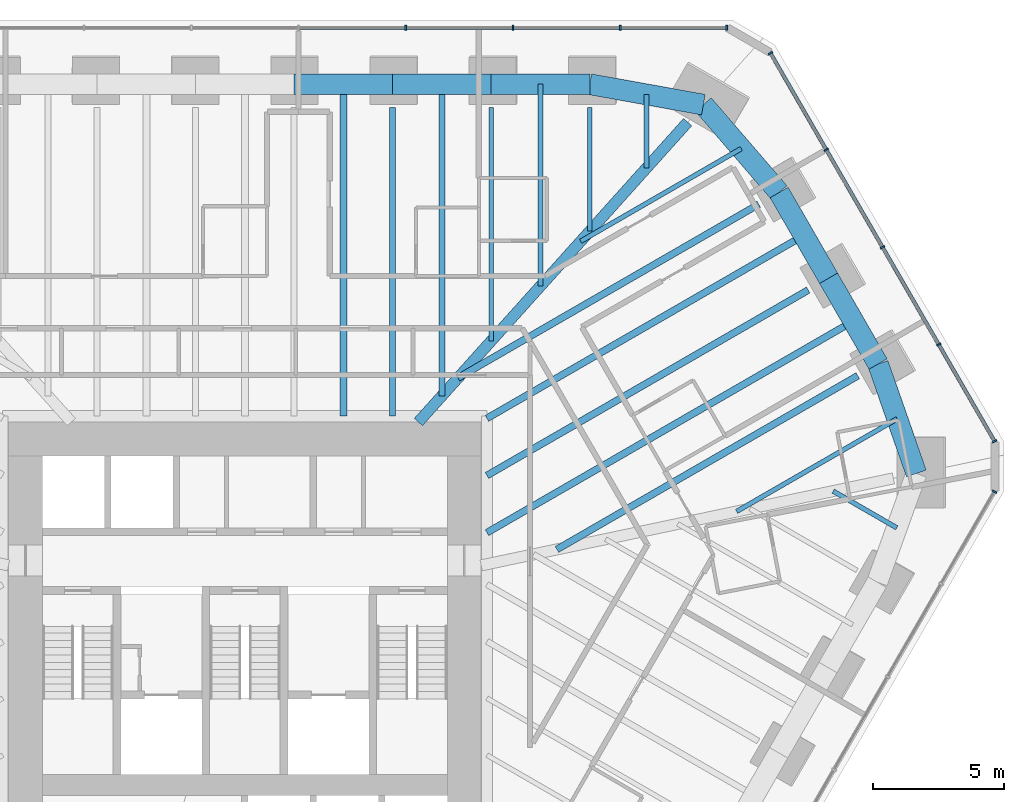
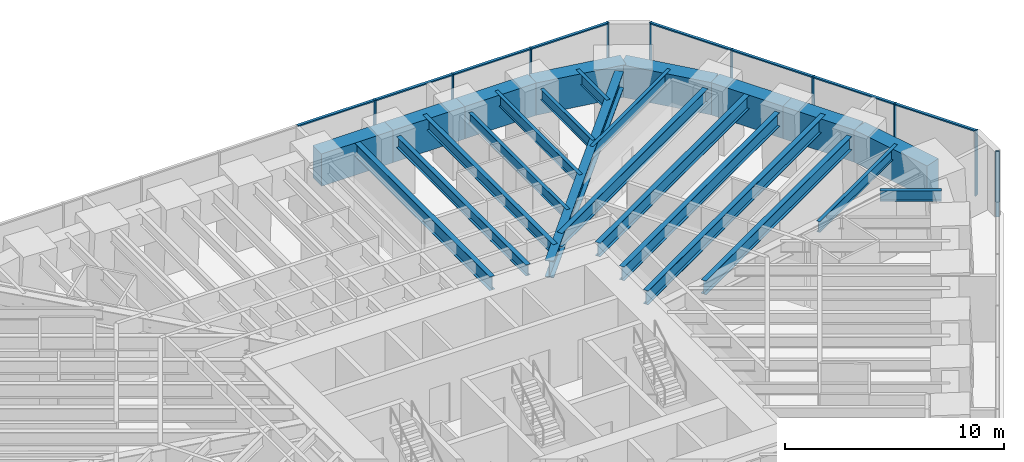
# One storey, part 9 of 17: 24 beams, 18 members, 3 elements without a shape of their own.
"""IFC4 building model written with IfcOpenShell, lengths in metres."""

from ifc_helpers import new_model, si_unit, direction, frame, origin, origin_2d, place, context, subcontext, project, spatial, rectangle, i_section, extrude, material, material_profile, profile_set, type_object, element, aggregate, save


model = new_model("IFC4")

# Units and contexts
model_context = context("Model", 3, precision=1e-05, world=origin(), true_north=direction((0.0, 1.0)))
body_context = subcontext(model_context, "Body", "Model", "MODEL_VIEW")
ifc_project = project(units=[si_unit("LENGTHUNIT", "METRE"), si_unit("AREAUNIT", "SQUARE_METRE"), si_unit("VOLUMEUNIT", "CUBIC_METRE"), si_unit("PLANEANGLEUNIT", "RADIAN"), si_unit("MASSUNIT", "GRAM", prefix="KILO")], contexts=[model_context])

# Site, building, storey
site_placement = place(None, origin())
site = spatial("IfcSite", under=ifc_project, at=site_placement, CompositionType="ELEMENT")
building_placement = place(site_placement, origin())
building = spatial("IfcBuilding", under=site, at=building_placement, Name="Sandreach Pilgrim Tower", CompositionType="ELEMENT")
storey_placement = place(building_placement, frame((0.0, 0.0, 165.199951171875)))
storey = spatial("IfcBuildingStorey", under=building, at=storey_placement, Name="L41", CompositionType="ELEMENT", Elevation=165.199951171875)

# Curtain wall, members
ifc_material_1 = material(Name="Aluminium framed curtain wall", Category="aluminium")
curtain_wall_type = type_object("IfcCurtainWallType", Name="Hotel tower curtain wall", PredefinedType="NOTDEFINED", material=ifc_material_1)
curtain_wall_1_placement = place(storey_placement, origin())
curtain_wall_1 = element("IfcCurtainWall", 1, at=curtain_wall_1_placement, inside=storey, type_object=curtain_wall_type, Name="CW-2 L41 N", PredefinedType="NOTDEFINED")
ifc_material_2 = material(Name="Aluminium extrusion", Category="aluminium")
ifc_material_profile_1 = material_profile(ifc_material_2, rectangle(XDim=0.06494140625, YDim=0.179931640625, at=origin_2d()), Name="CW-2M 65X180")
ifc_profile_set_1 = profile_set([ifc_material_profile_1], Name="Aluminium extrusion")
member_type_1 = type_object("IfcMemberType", Name="CW-2 mullion", PredefinedType="MULLION", material=ifc_profile_set_1)
member_1_placement = place(storey_placement, frame((6.160400390625, 22.493896484375, 0.0), z_axis=(0.0, 0.0, 1.0), x_axis=(1.0, 0.0, 0.0)))
member_1 = element("IfcMember", 2, at=member_1_placement, type_object=member_type_1, Name="CW-2 mullion 7", PredefinedType="MULLION", context=body_context, shape_type="SweptSolid", body=[
    extrude(rectangle(XDim=0.06494140625, YDim=0.179931640625, at=origin_2d()), origin(), (0.0, 0.0, 1.0), 3.64013671875),
])
member_2_placement = place(storey_placement, frame((10.267333984375, 22.493896484375, 0.0), z_axis=(0.0, 0.0, 1.0), x_axis=(1.0, 0.0, 0.0)))
member_2 = element("IfcMember", 3, at=member_2_placement, type_object=member_type_1, Name="CW-2 mullion 8", PredefinedType="MULLION", context=body_context, shape_type="SweptSolid", body=[
    extrude(rectangle(XDim=0.06494140625, YDim=0.179931640625, at=origin_2d()), origin(), (0.0, 0.0, 1.0), 3.64013671875),
])
member_3_placement = place(storey_placement, frame((14.37451171875, 22.493896484375, 0.0), z_axis=(0.0, 0.0, 1.0), x_axis=(1.0, 0.0, 0.0)))
member_3 = element("IfcMember", 4, at=member_3_placement, type_object=member_type_1, Name="CW-2 mullion 9", PredefinedType="MULLION", context=body_context, shape_type="SweptSolid", body=[
    extrude(rectangle(XDim=0.06494140625, YDim=0.179931640625, at=origin_2d()), origin(), (0.0, 0.0, 1.0), 3.64013671875),
])
member_4_placement = place(storey_placement, frame((18.448974609375, 22.493896484375, 0.0), z_axis=(0.0, 0.0, 1.0), x_axis=(1.0, 0.0, 0.0)))
member_4 = element("IfcMember", 5, at=member_4_placement, type_object=member_type_1, Name="CW-2 mullion 10", PredefinedType="MULLION", context=body_context, shape_type="SweptSolid", body=[
    extrude(rectangle(XDim=0.06494140625, YDim=0.179931640625, at=origin_2d()), origin(), (0.0, 0.0, 1.0), 3.64013671875),
])

curtain_wall_2_placement = place(storey_placement, origin())
curtain_wall_2 = element("IfcCurtainWall", 6, at=curtain_wall_2_placement, inside=storey, type_object=curtain_wall_type, Name="CW-2 L41 NE", PredefinedType="NOTDEFINED")
member_5_placement = place(storey_placement, frame((20.125732421875, 21.525634765625, 0.0), z_axis=(0.0, 0.0, 1.0), x_axis=(0.5, -0.866025403784, 0.0)))
member_5 = element("IfcMember", 7, at=member_5_placement, type_object=member_type_1, Name="CW-2 mullion 1", PredefinedType="MULLION", context=body_context, shape_type="SweptSolid", body=[
    extrude(rectangle(XDim=0.06494140625, YDim=0.179931640625, at=origin_2d()), origin(), (0.0, 0.0, 1.0), 3.64013671875),
])
member_6_placement = place(storey_placement, frame((22.262451171875, 17.824951171875, 0.0), z_axis=(0.0, 0.0, 1.0), x_axis=(0.5, -0.866025403784, 0.0)))
member_6 = element("IfcMember", 8, at=member_6_placement, type_object=member_type_1, Name="CW-2 mullion 2", PredefinedType="MULLION", context=body_context, shape_type="SweptSolid", body=[
    extrude(rectangle(XDim=0.06494140625, YDim=0.179931640625, at=origin_2d()), origin(), (0.0, 0.0, 1.0), 3.64013671875),
])
member_7_placement = place(storey_placement, frame((24.415283203125, 14.09619140625, 0.0), z_axis=(0.0, 0.0, 1.0), x_axis=(0.5, -0.866025403784, 0.0)))
member_7 = element("IfcMember", 9, at=member_7_placement, type_object=member_type_1, Name="CW-2 mullion 3", PredefinedType="MULLION", context=body_context, shape_type="SweptSolid", body=[
    extrude(rectangle(XDim=0.06494140625, YDim=0.179931640625, at=origin_2d()), origin(), (0.0, 0.0, 1.0), 3.64013671875),
])
member_8_placement = place(storey_placement, frame((26.568115234375, 10.3671875, 0.0), z_axis=(0.0, 0.0, 1.0), x_axis=(0.5, -0.866025403784, 0.0)))
member_8 = element("IfcMember", 10, at=member_8_placement, type_object=member_type_1, Name="CW-2 mullion 4", PredefinedType="MULLION", context=body_context, shape_type="SweptSolid", body=[
    extrude(rectangle(XDim=0.06494140625, YDim=0.179931640625, at=origin_2d()), origin(), (0.0, 0.0, 1.0), 3.64013671875),
])
member_9_placement = place(storey_placement, frame((28.70458984375, 6.66650390625, 0.0), z_axis=(0.0, 0.0, 1.0), x_axis=(0.5, -0.866025403784, 0.0)))
member_9 = element("IfcMember", 11, at=member_9_placement, type_object=member_type_1, Name="CW-2 mullion 5", PredefinedType="MULLION", context=body_context, shape_type="SweptSolid", body=[
    extrude(rectangle(XDim=0.06494140625, YDim=0.179931640625, at=origin_2d()), origin(), (0.0, 0.0, 1.0), 3.64013671875),
])

# Curtain wall, member
curtain_wall_3_placement = place(storey_placement, origin())
curtain_wall_3 = element("IfcCurtainWall", 12, at=curtain_wall_3_placement, inside=storey, type_object=curtain_wall_type, Name="CW-2 L41 SE", PredefinedType="NOTDEFINED")
member_10_placement = place(storey_placement, frame((28.70458984375, 4.730224609375, 0.0), z_axis=(0.0, 0.0, 1.0), x_axis=(-0.5, -0.866025403784, 0.0)))
member_10 = element("IfcMember", 13, at=member_10_placement, type_object=member_type_1, Name="CW-2 mullion 1", PredefinedType="MULLION", context=body_context, shape_type="SweptSolid", body=[
    extrude(rectangle(XDim=0.06494140625, YDim=0.179931640625, at=origin_2d()), origin(), (0.0, 0.0, 1.0), 3.64013671875),
])
aggregate(curtain_wall_3, [member_10])

# Member
ifc_material_3 = material(Name="Aluminium extrusion", Category="aluminium")
ifc_material_profile_2 = material_profile(ifc_material_3, rectangle(XDim=0.139892578125, YDim=0.070068359375, at=origin_2d()), Name="CW-2T 140X70")
ifc_profile_set_2 = profile_set([ifc_material_profile_2], Name="Aluminium extrusion")
member_type_2 = type_object("IfcMemberType", Name="CW-2 transom", PredefinedType="USERDEFINED", material=ifc_profile_set_2)
member_11_placement = place(storey_placement, frame((2.0859375, 22.493896484375, 3.60498046875), z_axis=(1.0, 0.0, 0.0), x_axis=(0.0, 1.0, 0.0)))
member_11 = element("IfcMember", 14, at=member_11_placement, type_object=member_type_2, Name="CW-2 head transom 6", ObjectType="TRANSOM", PredefinedType="USERDEFINED", context=body_context, shape_type="SweptSolid", body=[
    extrude(rectangle(XDim=0.139892578125, YDim=0.070068359375, at=origin_2d()), origin(), (0.0, 0.0, 1.0), 4.0419921875),
])

member_12_placement = place(storey_placement, frame((6.19287109375, 22.493896484375, 3.60498046875), z_axis=(1.0, 0.0, 0.0), x_axis=(0.0, 1.0, 0.0)))
member_12 = element("IfcMember", 15, at=member_12_placement, type_object=member_type_2, Name="CW-2 head transom 7", ObjectType="TRANSOM", PredefinedType="USERDEFINED", context=body_context, shape_type="SweptSolid", body=[
    extrude(rectangle(XDim=0.139892578125, YDim=0.070068359375, at=origin_2d()), origin(), (0.0, 0.0, 1.0), 4.0419921875),
])

member_13_placement = place(storey_placement, frame((10.300048828125, 22.493896484375, 3.60498046875), z_axis=(1.0, 0.0, 0.0), x_axis=(0.0, 1.0, 0.0)))
member_13 = element("IfcMember", 16, at=member_13_placement, type_object=member_type_2, Name="CW-2 head transom 8", ObjectType="TRANSOM", PredefinedType="USERDEFINED", context=body_context, shape_type="SweptSolid", body=[
    extrude(rectangle(XDim=0.139892578125, YDim=0.070068359375, at=origin_2d()), origin(), (0.0, 0.0, 1.0), 4.041748046875),
])

member_14_placement = place(storey_placement, frame((14.406982421875, 22.493896484375, 3.60498046875), z_axis=(1.0, 0.0, 0.0), x_axis=(0.0, 1.0, 0.0)))
member_14 = element("IfcMember", 17, at=member_14_placement, type_object=member_type_2, Name="CW-2 head transom 9", ObjectType="TRANSOM", PredefinedType="USERDEFINED", context=body_context, shape_type="SweptSolid", body=[
    extrude(rectangle(XDim=0.139892578125, YDim=0.070068359375, at=origin_2d()), origin(), (0.0, 0.0, 1.0), 4.00927734375),
])

aggregate(curtain_wall_1, [member_1, member_2, member_3, member_4, member_11, member_12, member_13, member_14])

member_15_placement = place(storey_placement, frame((20.14208984375, 21.49755859375, 3.60498046875), z_axis=(0.49997020258, -0.86604260665, 0.0), x_axis=(0.86604260665, 0.49997020258, 0.0)))
member_15 = element("IfcMember", 18, at=member_15_placement, type_object=member_type_2, Name="CW-2 head transom 1", ObjectType="TRANSOM", PredefinedType="USERDEFINED", context=body_context, shape_type="SweptSolid", body=[
    extrude(rectangle(XDim=0.139892578125, YDim=0.070068359375, at=origin_2d()), origin(), (0.0, 0.0, 1.0), 4.208251953125),
])

member_16_placement = place(storey_placement, frame((22.278564453125, 17.796875, 3.60498046875), z_axis=(0.499996541496, -0.866027400544, 0.0), x_axis=(0.866027400544, 0.499996541496, 0.0)))
member_16 = element("IfcMember", 19, at=member_16_placement, type_object=member_type_2, Name="CW-2 head transom 2", ObjectType="TRANSOM", PredefinedType="USERDEFINED", context=body_context, shape_type="SweptSolid", body=[
    extrude(rectangle(XDim=0.139892578125, YDim=0.070068359375, at=origin_2d()), origin(), (0.0, 0.0, 1.0), 4.24072265625),
])

member_17_placement = place(storey_placement, frame((24.431396484375, 14.06787109375, 3.60498046875), z_axis=(0.500021471012, -0.866013007135, 0.0), x_axis=(0.866013007135, 0.500021471012, 0.0)))
member_17 = element("IfcMember", 20, at=member_17_placement, type_object=member_type_2, Name="CW-2 head transom 3", ObjectType="TRANSOM", PredefinedType="USERDEFINED", context=body_context, shape_type="SweptSolid", body=[
    extrude(rectangle(XDim=0.139892578125, YDim=0.070068359375, at=origin_2d()), origin(), (0.0, 0.0, 1.0), 4.240478515625),
])

member_18_placement = place(storey_placement, frame((26.584228515625, 10.339111328125, 3.60498046875), z_axis=(0.500038835258, -0.866002981077, 0.0), x_axis=(0.866002981077, 0.500038835258, 0.0)))
member_18 = element("IfcMember", 21, at=member_18_placement, type_object=member_type_2, Name="CW-2 head transom 4", ObjectType="TRANSOM", PredefinedType="USERDEFINED", context=body_context, shape_type="SweptSolid", body=[
    extrude(rectangle(XDim=0.139892578125, YDim=0.070068359375, at=origin_2d()), origin(), (0.0, 0.0, 1.0), 4.208251953125),
])

aggregate(curtain_wall_2, [member_5, member_6, member_7, member_8, member_9, member_15, member_16, member_17, member_18])

# Beams
ifc_material_4 = material(Name="Steel ASTM A992 Grade 50", Category="steel")
ifc_material_profile_3 = material_profile(ifc_material_4, i_section(OverallWidth=0.421630859375, OverallDepth=0.937255859375, WebThickness=0.0224609375, FlangeThickness=0.039794921875, at=origin_2d()), Name="W36X282")
ifc_profile_set_3 = profile_set([ifc_material_profile_3], Name="Steel ASTM A992 Grade 50")
beam_type_1 = type_object("IfcBeamType", Name="Corner girder W36X282", PredefinedType="BEAM", material=ifc_profile_set_3)
beam_1_placement = place(storey_placement, frame((16.95556640625, 18.8828125, 3.17138671875), z_axis=(-0.668111253631, -0.744061390459, 0.0), x_axis=(0.744061390459, -0.668111253631, 0.0)))
element("IfcBeam", 22, at=beam_1_placement, inside=storey, type_object=beam_type_1, Name="BM L41 CG09", PredefinedType="BEAM", context=body_context, shape_type="SweptSolid", body=[
    extrude(i_section(OverallWidth=0.421630859375, OverallDepth=0.937255859375, WebThickness=0.0224609375, FlangeThickness=0.039794921875, at=origin_2d()), origin(), (0.0, 0.0, 1.0), 15.432861328125),
])
ifc_material_5 = material(Name="Steel ASTM A992 Grade 50", Category="steel")
ifc_material_profile_4 = material_profile(ifc_material_5, i_section(OverallWidth=0.1787109375, OverallDepth=0.60205078125, WebThickness=0.010986328125, FlangeThickness=0.014892578125, at=origin_2d()), Name="W24X62")
ifc_profile_set_4 = profile_set([ifc_material_profile_4], Name="Steel ASTM A992 Grade 50")
beam_type_2 = type_object("IfcBeamType", Name="Floor beam W24X62", PredefinedType="BEAM", material=ifc_profile_set_4)
beam_2_placement = place(storey_placement, frame((9.43310546875, 19.435302734375, 3.339111328125), z_axis=(0.0, -1.0, 0.0), x_axis=(1.0, 0.0, 0.0)))
element("IfcBeam", 23, at=beam_2_placement, inside=storey, type_object=beam_type_2, Name="BM L41 F07", PredefinedType="BEAM", context=body_context, shape_type="SweptSolid", body=[
    extrude(i_section(OverallWidth=0.1787109375, OverallDepth=0.60205078125, WebThickness=0.010986328125, FlangeThickness=0.014892578125, at=origin_2d()), origin(), (0.0, 0.0, 1.0), 8.93017578125),
])
beam_3_placement = place(storey_placement, frame((13.206298828125, 19.435302734375, 3.339111328125), z_axis=(0.0, -1.0, 0.0), x_axis=(1.0, 0.0, 0.0)))
element("IfcBeam", 24, at=beam_3_placement, inside=storey, type_object=beam_type_2, Name="BM L41 F08", PredefinedType="BEAM", context=body_context, shape_type="SweptSolid", body=[
    extrude(i_section(OverallWidth=0.1787109375, OverallDepth=0.60205078125, WebThickness=0.010986328125, FlangeThickness=0.014892578125, at=origin_2d()), origin(), (0.0, 0.0, 1.0), 4.72802734375),
])
beam_4_placement = place(storey_placement, frame((11.319580078125, 20.335205078125, 3.339111328125), z_axis=(0.0, -1.0, 0.0), x_axis=(1.0, 0.0, 0.0)))
element("IfcBeam", 25, at=beam_4_placement, inside=storey, type_object=beam_type_2, Name="BM L41 FM07", PredefinedType="BEAM", context=body_context, shape_type="SweptSolid", body=[
    extrude(i_section(OverallWidth=0.1787109375, OverallDepth=0.60205078125, WebThickness=0.010986328125, FlangeThickness=0.014892578125, at=origin_2d()), origin(), (0.0, 0.0, 1.0), 7.72900390625),
])
beam_5_placement = place(storey_placement, frame((15.381591796875, 19.94384765625, 3.339111328125), z_axis=(0.0, -1.0, 0.0), x_axis=(1.0, 0.0, 0.0)))
element("IfcBeam", 26, at=beam_5_placement, inside=storey, type_object=beam_type_2, Name="BM L41 FM08", PredefinedType="BEAM", context=body_context, shape_type="SweptSolid", body=[
    extrude(i_section(OverallWidth=0.1787109375, OverallDepth=0.60205078125, WebThickness=0.010986328125, FlangeThickness=0.014892578125, at=origin_2d()), origin(), (0.0, 0.0, 1.0), 2.81396484375),
])
beam_6_placement = place(storey_placement, frame((19.006591796875, 17.86962890625, 3.339111328125), z_axis=(-0.866029232979, -0.499993367581, 0.0), x_axis=(0.499993367581, -0.866029232979, 0.0)))
element("IfcBeam", 27, at=beam_6_placement, inside=storey, type_object=beam_type_2, Name="BM L41 FM09", PredefinedType="BEAM", context=body_context, shape_type="SweptSolid", body=[
    extrude(i_section(OverallWidth=0.1787109375, OverallDepth=0.60205078125, WebThickness=0.010986328125, FlangeThickness=0.014892578125, at=origin_2d()), origin(), (0.0, 0.0, 1.0), 7.0986328125),
])
beam_7_placement = place(storey_placement, frame((24.97900390625, 7.525390625, 3.339111328125), z_axis=(-0.866022938906, -0.50000426927, 0.0), x_axis=(0.50000426927, -0.866022938906, 0.0)))
element("IfcBeam", 28, at=beam_7_placement, inside=storey, type_object=beam_type_2, Name="BM L41 FM12", PredefinedType="BEAM", context=body_context, shape_type="SweptSolid", body=[
    extrude(i_section(OverallWidth=0.1787109375, OverallDepth=0.60205078125, WebThickness=0.010986328125, FlangeThickness=0.014892578125, at=origin_2d()), origin(), (0.0, 0.0, 1.0), 7.09912109375),
])
beam_8_placement = place(storey_placement, frame((24.962646484375, 3.348876953125, 3.339111328125), z_axis=(-0.866029550753, 0.49999281717, 0.0), x_axis=(-0.49999281717, -0.866029550753, 0.0)))
element("IfcBeam", 29, at=beam_8_placement, inside=storey, type_object=beam_type_2, Name="BM L41 FM13", PredefinedType="BEAM", context=body_context, shape_type="SweptSolid", body=[
    extrude(i_section(OverallWidth=0.1787109375, OverallDepth=0.60205078125, WebThickness=0.010986328125, FlangeThickness=0.014892578125, at=origin_2d()), origin(), (0.0, 0.0, 1.0), 2.81396484375),
])
ifc_material_6 = material(Name="Steel ASTM A992 Grade 50", Category="steel")
ifc_material_profile_5 = material_profile(ifc_material_6, i_section(OverallWidth=0.23046875, OverallDepth=0.6171875, WebThickness=0.01318359375, FlangeThickness=0.022216796875, at=origin_2d()), Name="W24X94")
ifc_profile_set_5 = profile_set([ifc_material_profile_5], Name="Steel ASTM A992 Grade 50")
beam_type_3 = type_object("IfcBeamType", Name="Floor beam W24X94", PredefinedType="BEAM", material=ifc_profile_set_5)
beam_9_placement = place(storey_placement, frame((5.659912109375, 19.435302734375, 3.33154296875), z_axis=(0.0, -1.0, 0.0), x_axis=(1.0, 0.0, 0.0)))
element("IfcBeam", 30, at=beam_9_placement, inside=storey, type_object=beam_type_3, Name="BM L41 F06", PredefinedType="BEAM", context=body_context, shape_type="SweptSolid", body=[
    extrude(i_section(OverallWidth=0.23046875, OverallDepth=0.6171875, WebThickness=0.01318359375, FlangeThickness=0.022216796875, at=origin_2d()), origin(), (0.0, 0.0, 1.0), 11.813232421875),
])
beam_10_placement = place(storey_placement, frame((7.54638671875, 20.335205078125, 3.33154296875), z_axis=(0.0, -1.0, 0.0), x_axis=(1.0, 0.0, 0.0)))
element("IfcBeam", 31, at=beam_10_placement, inside=storey, type_object=beam_type_3, Name="BM L41 FM06", PredefinedType="BEAM", context=body_context, shape_type="SweptSolid", body=[
    extrude(i_section(OverallWidth=0.23046875, OverallDepth=0.6171875, WebThickness=0.01318359375, FlangeThickness=0.022216796875, at=origin_2d()), origin(), (0.0, 0.0, 1.0), 11.930908203125),
])
ifc_material_7 = material(Name="Steel ASTM A992 Grade 50", Category="steel")
ifc_material_profile_6 = material_profile(ifc_material_7, i_section(OverallWidth=0.2666015625, OverallDepth=0.761962890625, WebThickness=0.014404296875, FlangeThickness=0.021484375, at=origin_2d()), Name="W30X116")
ifc_profile_set_6 = profile_set([ifc_material_profile_6], Name="Steel ASTM A992 Grade 50")
beam_type_4 = type_object("IfcBeamType", Name="Floor beam W30X116", PredefinedType="BEAM", material=ifc_profile_set_6)
beam_11_placement = place(storey_placement, frame((19.6767578125, 15.737060546875, 3.259033203125), z_axis=(-0.866022320763, -0.500005339912, 0.0), x_axis=(0.500005339912, -0.866022320763, 0.0)))
element("IfcBeam", 32, at=beam_11_placement, inside=storey, type_object=beam_type_4, Name="BM L41 F10", PredefinedType="BEAM", context=body_context, shape_type="SweptSolid", body=[
    extrude(i_section(OverallWidth=0.2666015625, OverallDepth=0.761962890625, WebThickness=0.014404296875, FlangeThickness=0.021484375, at=origin_2d()), origin(), (0.0, 0.0, 1.0), 13.297607421875),
])
beam_12_placement = place(storey_placement, frame((21.57177734375, 12.45458984375, 3.259033203125), z_axis=(-0.866024708283, -0.500001204641, 0.0), x_axis=(0.500001204641, -0.866024708283, 0.0)))
element("IfcBeam", 33, at=beam_12_placement, inside=storey, type_object=beam_type_4, Name="BM L41 F11", PredefinedType="BEAM", context=body_context, shape_type="SweptSolid", body=[
    extrude(i_section(OverallWidth=0.2666015625, OverallDepth=0.761962890625, WebThickness=0.014404296875, FlangeThickness=0.021484375, at=origin_2d()), origin(), (0.0, 0.0, 1.0), 14.20263671875),
])
beam_13_placement = place(storey_placement, frame((23.467041015625, 9.172119140625, 3.259033203125), z_axis=(-0.866022320763, -0.500005339912, 0.0), x_axis=(0.500005339912, -0.866022320763, 0.0)))
element("IfcBeam", 34, at=beam_13_placement, inside=storey, type_object=beam_type_4, Name="BM L41 F12", PredefinedType="BEAM", context=body_context, shape_type="SweptSolid", body=[
    extrude(i_section(OverallWidth=0.2666015625, OverallDepth=0.761962890625, WebThickness=0.014404296875, FlangeThickness=0.021484375, at=origin_2d()), origin(), (0.0, 0.0, 1.0), 13.297607421875),
])
beam_14_placement = place(storey_placement, frame((3.773193359375, 20.335205078125, 3.259033203125), z_axis=(0.0, -1.0, 0.0), x_axis=(1.0, 0.0, 0.0)))
element("IfcBeam", 35, at=beam_14_placement, inside=storey, type_object=beam_type_4, Name="BM L41 FM05", PredefinedType="BEAM", context=body_context, shape_type="SweptSolid", body=[
    extrude(i_section(OverallWidth=0.2666015625, OverallDepth=0.761962890625, WebThickness=0.014404296875, FlangeThickness=0.021484375, at=origin_2d()), origin(), (0.0, 0.0, 1.0), 12.713134765625),
])
beam_15_placement = place(storey_placement, frame((21.40380859375, 14.545654296875, 3.259033203125), z_axis=(-0.866030607649, -0.499990986534, 0.0), x_axis=(0.499990986534, -0.866030607649, 0.0)))
element("IfcBeam", 36, at=beam_15_placement, inside=storey, type_object=beam_type_4, Name="BM L41 FM10", PredefinedType="BEAM", context=body_context, shape_type="SweptSolid", body=[
    extrude(i_section(OverallWidth=0.2666015625, OverallDepth=0.761962890625, WebThickness=0.014404296875, FlangeThickness=0.021484375, at=origin_2d()), origin(), (0.0, 0.0, 1.0), 14.008544921875),
])
ifc_material_8 = material(Name="Steel ASTM A992 Grade 50", Category="steel")
ifc_material_profile_7 = material_profile(ifc_material_8, i_section(OverallWidth=0.2666015625, OverallDepth=0.77978515625, WebThickness=0.0166015625, FlangeThickness=0.030029296875, at=origin_2d()), Name="W30X148")
ifc_profile_set_7 = profile_set([ifc_material_profile_7], Name="Steel ASTM A992 Grade 50")
beam_type_5 = type_object("IfcBeamType", Name="Floor beam W30X148", PredefinedType="BEAM", material=ifc_profile_set_7)
beam_16_placement = place(storey_placement, frame((23.298828125, 11.26318359375, 3.250244140625), z_axis=(-0.866032468316, -0.499987763673, 0.0), x_axis=(0.499987763673, -0.866032468316, 0.0)))
element("IfcBeam", 37, at=beam_16_placement, inside=storey, type_object=beam_type_5, Name="BM L41 FM11", PredefinedType="BEAM", context=body_context, shape_type="SweptSolid", body=[
    extrude(i_section(OverallWidth=0.2666015625, OverallDepth=0.77978515625, WebThickness=0.0166015625, FlangeThickness=0.030029296875, at=origin_2d()), origin(), (0.0, 0.0, 1.0), 16.19677734375),
])
ifc_material_9 = material(Name="Concrete 10000 psi", Category="concrete")
ifc_material_profile_8 = material_profile(ifc_material_9, rectangle(XDim=0.800048828125, YDim=1.800048828125, at=origin_2d()), Name="RC800X1800")
ifc_profile_set_8 = profile_set([ifc_material_profile_8], Name="Concrete 10000 psi")
beam_type_6 = type_object("IfcBeamType", Name="Spandrel beam RC800X1800", PredefinedType="SPANDREL", material=ifc_profile_set_8)
for number, where, z_axis, x_axis, name in (
    (38, (1.88671875, 20.335205078125, 2.739990234375), (1.0, 0.0, 0.0), (0.0, 1.0, 0.0), "BM L41 SP05"),
    (39, (5.659912109375, 20.335205078125, 2.739990234375), (1.0, 0.0, 0.0), (0.0, 1.0, 0.0), "BM L41 SP06"),
    (40, (9.43310546875, 20.335205078125, 2.739990234375), (1.0, 0.0, 0.0), (0.0, 1.0, 0.0), "BM L41 SP07"),
):
    element("IfcBeam", number, at=place(storey_placement, frame(where, z_axis=z_axis, x_axis=x_axis)), inside=storey, type_object=beam_type_6, Name=name, PredefinedType="SPANDREL", context=body_context, shape_type="SweptSolid", body=[
        extrude(rectangle(XDim=0.800048828125, YDim=1.800048828125, at=origin_2d()), origin(), (0.0, 0.0, 1.0), 3.773193359375),
    ])
beam_17_placement = place(storey_placement, frame((13.206298828125, 20.335205078125, 2.739990234375), z_axis=(0.984198727305, -0.177067402903, 0.0), x_axis=(0.177067402903, 0.984198727305, 0.0)))
element("IfcBeam", 41, at=beam_17_placement, inside=storey, type_object=beam_type_6, Name="BM L41 SP08", PredefinedType="SPANDREL", context=body_context, shape_type="SweptSolid", body=[
    extrude(rectangle(XDim=0.800048828125, YDim=1.800048828125, at=origin_2d()), origin(), (0.0, 0.0, 1.0), 4.42041015625),
])
beam_18_placement = place(storey_placement, frame((17.556884765625, 19.552490234375, 2.739990234375), z_axis=(0.652667771806, -0.75764423026, 0.0), x_axis=(0.75764423026, 0.652667771806, 0.0)))
element("IfcBeam", 42, at=beam_18_placement, inside=storey, type_object=beam_type_6, Name="BM L41 SP09", PredefinedType="SPANDREL", context=body_context, shape_type="SweptSolid", body=[
    extrude(rectangle(XDim=0.800048828125, YDim=1.800048828125, at=origin_2d()), origin(), (0.0, 0.0, 1.0), 4.442138671875),
])
for number, where, z_axis, x_axis, name in (
    (43, (20.4560546875, 16.18701171875, 2.739990234375), (0.500025392229, -0.866010743078, 0.0), (0.866010743078, 0.500025392229, 0.0), "BM L41 SP10"),
    (44, (22.351318359375, 12.904541015625, 2.739990234375), (0.49997708301, -0.86603863451, 0.0), (0.86603863451, 0.49997708301, 0.0), "BM L41 SP11"),
):
    element("IfcBeam", number, at=place(storey_placement, frame(where, z_axis=z_axis, x_axis=x_axis)), inside=storey, type_object=beam_type_6, Name=name, PredefinedType="SPANDREL", context=body_context, shape_type="SweptSolid", body=[
        extrude(rectangle(XDim=0.800048828125, YDim=1.800048828125, at=origin_2d()), origin(), (0.0, 0.0, 1.0), 3.790283203125),
    ])
beam_19_placement = place(storey_placement, frame((24.246337890625, 9.6220703125, 2.739990234375), z_axis=(0.329814237197, -0.94404585108, 0.0), x_axis=(0.94404585108, 0.329814237197, 0.0)))
element("IfcBeam", 45, at=beam_19_placement, inside=storey, type_object=beam_type_6, Name="BM L41 SP12", PredefinedType="SPANDREL", context=body_context, shape_type="SweptSolid", body=[
    extrude(rectangle(XDim=0.800048828125, YDim=1.800048828125, at=origin_2d()), origin(), (0.0, 0.0, 1.0), 4.442138671875),
])

save(model, "model.ifc")
